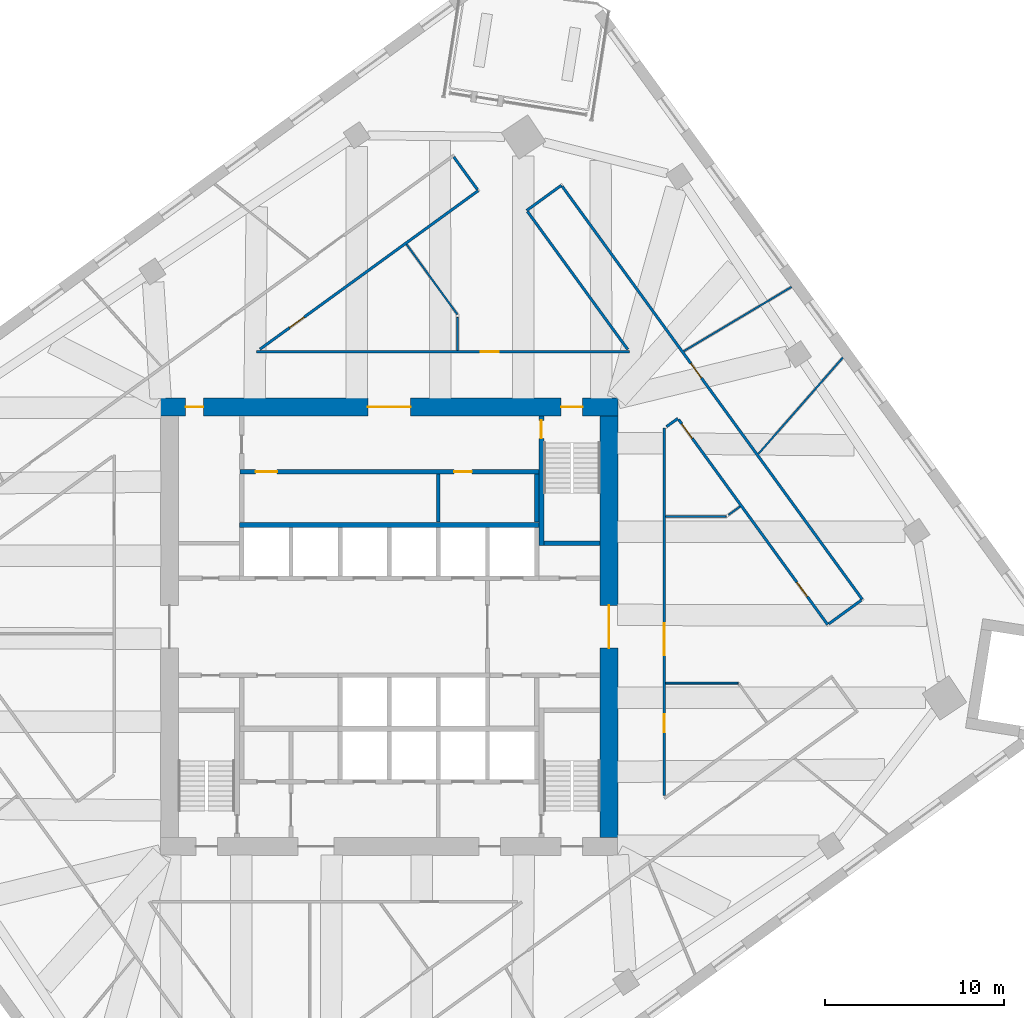
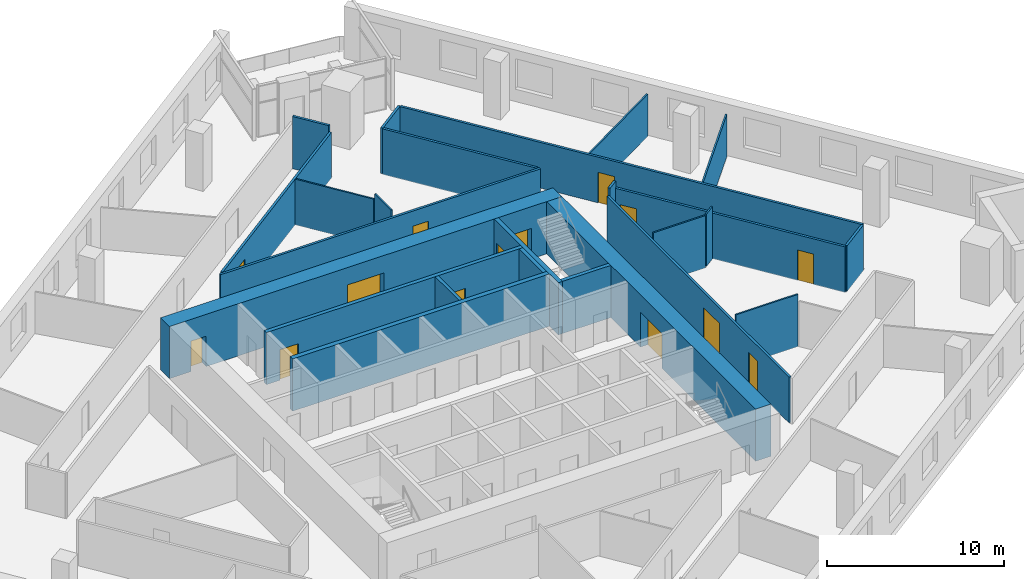
# One storey, part 8 of 11: 25 walls, 14 doors, 14 openings.
"""IFC4 building model written with IfcOpenShell, lengths in metres."""

from ifc_helpers import new_model, si_unit, direction, frame, frame_2d, origin, place, context, subcontext, project, spatial, rectangle, extrude, material, layer, layer_set, type_object, element, fill, save


model = new_model("IFC4")

# Units and contexts
model_context = context("Model", 3, precision=1e-05, world=origin(), true_north=direction((0.0, 1.0)))
body_context = subcontext(model_context, "Body", "Model", "MODEL_VIEW")
ifc_project = project(units=[si_unit("LENGTHUNIT", "METRE"), si_unit("AREAUNIT", "SQUARE_METRE"), si_unit("VOLUMEUNIT", "CUBIC_METRE"), si_unit("PLANEANGLEUNIT", "RADIAN"), si_unit("MASSUNIT", "GRAM", prefix="KILO")], contexts=[model_context])

# Site, building, storey
site_placement = place(None, origin())
site = spatial("IfcSite", under=ifc_project, at=site_placement, CompositionType="ELEMENT")
building_placement = place(site_placement, origin())
building = spatial("IfcBuilding", under=site, at=building_placement, Name="Dilmun Exchange Tower", CompositionType="ELEMENT")
storey_placement = place(building_placement, frame((0.0, 0.0, 167.699951171875)))
storey = spatial("IfcBuildingStorey", under=building, at=storey_placement, Name="L39", CompositionType="ELEMENT", Elevation=167.699951171875)

# Walls
ifc_material_1 = material(Name="Concrete C40/50", Category="concrete")
ifc_layer_1 = layer(ifc_material_1, 0.199951171875)
ifc_layer_set_1 = layer_set([ifc_layer_1], Name="Concrete C40/50")
wall_type_1 = type_object("IfcWallType", Name="Core partition wall 200", PredefinedType="PARTITIONING", material=ifc_layer_set_1)
wall_1_placement = place(storey_placement, frame((2.75, 5.85498046875, 0.0), z_axis=(0.0, 0.0, 1.0), x_axis=(0.0, 1.0, 0.0)))
element("IfcWall", 1, at=wall_1_placement, inside=storey, type_object=wall_type_1, Name="L39 core partition wall 16", PredefinedType="PARTITIONING", context=body_context, shape_type="SweptSolid", body=[
    extrude(rectangle(XDim=2.68994140625, YDim=0.199951171875, at=frame_2d((1.344970703125, 0.0))), origin(), (0.0, 0.0, 1.0), 3.60009765625),
])
ifc_layer_2 = layer(ifc_material_1, 0.25)
ifc_layer_set_2 = layer_set([ifc_layer_2], Name="Concrete C40/50")
wall_type_2 = type_object("IfcWallType", Name="Core partition wall 250", PredefinedType="PARTITIONING", material=ifc_layer_set_2)
wall_2_placement = place(storey_placement, frame((8.25, 5.85498046875, 0.0), z_axis=(0.0, 0.0, 1.0), x_axis=(0.0, 1.0, 0.0)))
element("IfcWall", 2, at=wall_2_placement, inside=storey, type_object=wall_type_2, Name="L39 core partition wall 17", PredefinedType="PARTITIONING", context=body_context, shape_type="SweptSolid", body=[
    extrude(rectangle(XDim=2.68994140625, YDim=0.25, at=frame_2d((1.344970703125, 0.0))), origin(), (0.0, 0.0, 1.0), 3.60009765625),
])

# Wall, openings, doors
wall_3_placement = place(storey_placement, frame((-8.35009765625, 8.675048828125, 0.0), z_axis=(0.0, 0.0, 1.0), x_axis=(1.0, 0.0, 0.0)))
wall_3 = element("IfcWall", 3, at=wall_3_placement, inside=storey, type_object=wall_type_2, Name="L39 core partition wall 18", PredefinedType="PARTITIONING", context=body_context, shape_type="SweptSolid", body=[
    extrude(rectangle(XDim=16.72021484375, YDim=0.25, at=frame_2d((8.360107421875, 0.0))), origin(), (0.0, 0.0, 1.0), 3.60009765625),
])
opening_1_placement = place(wall_3_placement, frame((0.875, 0.0, 0.0)))
opening_1 = element("IfcOpeningElement", 4, at=opening_1_placement, cuts=wall_3, Name="Opening CD3", PredefinedType="OPENING", context=body_context, shape_type="SweptSolid", body=[
    extrude(rectangle(XDim=1.199951171875, YDim=2.10009765625, at=frame_2d((0.60009765625, 1.050048828125))), frame((0.0, 0.135009765625, 0.0), z_axis=(0.0, -1.0, 0.0), x_axis=(1.0, 0.0, 0.0)), (0.0, 0.0, 1.0), 0.27001953125),
])
opening_2_placement = place(wall_3_placement, frame((11.97509765625, 0.0, 0.0)))
opening_2 = element("IfcOpeningElement", 5, at=opening_2_placement, cuts=wall_3, Name="Opening CD4", PredefinedType="OPENING", context=body_context, shape_type="SweptSolid", body=[
    extrude(rectangle(XDim=1.0, YDim=2.10009765625, at=frame_2d((0.5, 1.050048828125))), frame((0.0, 0.135009765625, 0.0), z_axis=(0.0, -1.0, 0.0), x_axis=(1.0, 0.0, 0.0)), (0.0, 0.0, 1.0), 0.27001953125),
])
ifc_material_2 = material(Name="Fire-rated steel door set", Category="steel")
door_type_1 = type_object("IfcDoorType", Name="Core room door 1000x2100", OperationType="SINGLE_SWING_LEFT", PredefinedType="DOOR", material=ifc_material_2)
door_1_placement = place(opening_2_placement, origin())
door_1 = element("IfcDoor", 6, at=door_1_placement, inside=storey, type_object=door_type_1, Name="L39 door Archive store", OperationType="SINGLE_SWING_RIGHT", OverallHeight=2.10009765625, OverallWidth=1.0, PredefinedType="DOOR", context=body_context, shape_type="SweptSolid", body=[
    extrude(rectangle(XDim=1.0, YDim=2.10009765625, at=frame_2d((0.5, 1.050048828125))), frame((0.0, 0.02490234375, 0.0), z_axis=(0.0, -1.0, 0.0), x_axis=(1.0, 0.0, 0.0)), (0.0, 0.0, 1.0), 0.050048828125),
])
fill(opening_2, door_1)
door_type_2 = type_object("IfcDoorType", Name="Stair exit door 1200x2100", OperationType="SINGLE_SWING_LEFT", PredefinedType="DOOR", material=ifc_material_2)
door_2_placement = place(opening_1_placement, origin())
door_2 = element("IfcDoor", 7, at=door_2_placement, inside=storey, type_object=door_type_2, Name="L39 door Tenant meeting suite", OperationType="SINGLE_SWING_LEFT", OverallHeight=2.10009765625, OverallWidth=1.199951171875, PredefinedType="DOOR", context=body_context, shape_type="SweptSolid", body=[
    extrude(rectangle(XDim=1.199951171875, YDim=2.10009765625, at=frame_2d((0.60009765625, 1.050048828125))), frame((0.0, 0.02490234375, 0.0), z_axis=(0.0, -1.0, 0.0), x_axis=(1.0, 0.0, 0.0)), (0.0, 0.0, 1.0), 0.050048828125),
])
fill(opening_1, door_2)

ifc_material_3 = material(Name="Concrete C70/85", Category="concrete")
ifc_layer_3 = layer(ifc_material_3, 1.0)
ifc_layer_set_3 = layer_set([ifc_layer_3], Name="Concrete C70/85")
wall_type_3 = type_object("IfcWallType", Name="Core shear wall 1000 Concrete C70/85", PredefinedType="SHEAR", material=ifc_layer_set_3)
wall_4_placement = place(storey_placement, frame((-12.800048828125, 12.300048828125, 0.0), z_axis=(0.0, 0.0, 1.0), x_axis=(1.0, 0.0, 0.0)))
wall_4 = element("IfcWall", 8, at=wall_4_placement, inside=storey, type_object=wall_type_3, Name="L39 core shear wall N", PredefinedType="SHEAR", context=body_context, shape_type="SweptSolid", body=[
    extrude(rectangle(XDim=25.60009765625, YDim=1.0, at=frame_2d((12.800048828125, 0.0))), origin(), (0.0, 0.0, 1.0), 3.60009765625),
])
opening_3_placement = place(wall_4_placement, frame((11.60009765625, 0.0, 0.0)))
opening_3 = element("IfcOpeningElement", 9, at=opening_3_placement, cuts=wall_4, Name="Opening CD1", PredefinedType="OPENING", context=body_context, shape_type="SweptSolid", body=[
    extrude(rectangle(XDim=2.39990234375, YDim=2.39990234375, at=frame_2d((1.199951171875, 1.199951171875))), frame((0.0, 0.510009765625, 0.0), z_axis=(0.0, -1.0, 0.0), x_axis=(1.0, 0.0, 0.0)), (0.0, 0.0, 1.0), 1.02001953125),
])
opening_4_placement = place(wall_4_placement, frame((22.425048828125, 0.0, 0.0)))
opening_4 = element("IfcOpeningElement", 10, at=opening_4_placement, cuts=wall_4, Name="Opening CD3", PredefinedType="OPENING", context=body_context, shape_type="SweptSolid", body=[
    extrude(rectangle(XDim=1.199951171875, YDim=2.10009765625, at=frame_2d((0.60009765625, 1.050048828125))), frame((0.0, 0.510009765625, 0.0), z_axis=(0.0, -1.0, 0.0), x_axis=(1.0, 0.0, 0.0)), (0.0, 0.0, 1.0), 1.02001953125),
])
opening_5_placement = place(wall_4_placement, frame((1.39990234375, 0.0, 0.0)))
opening_5 = element("IfcOpeningElement", 11, at=opening_5_placement, cuts=wall_4, Name="Opening CD4", PredefinedType="OPENING", context=body_context, shape_type="SweptSolid", body=[
    extrude(rectangle(XDim=1.0, YDim=2.10009765625, at=frame_2d((0.5, 1.050048828125))), frame((0.0, 0.510009765625, 0.0), z_axis=(0.0, -1.0, 0.0), x_axis=(1.0, 0.0, 0.0)), (0.0, 0.0, 1.0), 1.02001953125),
])
door_type_3 = type_object("IfcDoorType", Name="Core lobby door 2400x2400", OperationType="DOUBLE_DOOR_DOUBLE_SWING", PredefinedType="DOOR", material=ifc_material_2)
door_3_placement = place(opening_3_placement, origin())
door_3 = element("IfcDoor", 12, at=door_3_placement, inside=storey, type_object=door_type_3, Name="L39 door North lift lobby", OperationType="SINGLE_SWING_LEFT", OverallHeight=2.39990234375, OverallWidth=2.39990234375, PredefinedType="DOOR", context=body_context, shape_type="SweptSolid", body=[
    extrude(rectangle(XDim=2.39990234375, YDim=2.39990234375, at=frame_2d((1.199951171875, 1.199951171875))), frame((0.0, 0.02490234375, 0.0), z_axis=(0.0, -1.0, 0.0), x_axis=(1.0, 0.0, 0.0)), (0.0, 0.0, 1.0), 0.050048828125),
])
fill(opening_3, door_3)
door_4_placement = place(opening_5_placement, origin())
door_4 = element("IfcDoor", 13, at=door_4_placement, inside=storey, type_object=door_type_1, Name="L39 door North-west core rooms", OperationType="SINGLE_SWING_LEFT", OverallHeight=2.10009765625, OverallWidth=1.0, PredefinedType="DOOR", context=body_context, shape_type="SweptSolid", body=[
    extrude(rectangle(XDim=1.0, YDim=2.10009765625, at=frame_2d((0.5, 1.050048828125))), frame((0.0, 0.02490234375, 0.0), z_axis=(0.0, -1.0, 0.0), x_axis=(1.0, 0.0, 0.0)), (0.0, 0.0, 1.0), 0.050048828125),
])
fill(opening_5, door_4)
door_5_placement = place(opening_4_placement, origin())
door_5 = element("IfcDoor", 14, at=door_5_placement, inside=storey, type_object=door_type_2, Name="L39 door Stair ST1", OperationType="SINGLE_SWING_LEFT", OverallHeight=2.10009765625, OverallWidth=1.199951171875, PredefinedType="DOOR", context=body_context, shape_type="SweptSolid", body=[
    extrude(rectangle(XDim=1.199951171875, YDim=2.10009765625, at=frame_2d((0.60009765625, 1.050048828125))), frame((0.0, 0.02490234375, 0.0), z_axis=(0.0, -1.0, 0.0), x_axis=(1.0, 0.0, 0.0)), (0.0, 0.0, 1.0), 0.050048828125),
])
fill(opening_4, door_5)

# Wall, opening, door
wall_5_placement = place(storey_placement, frame((12.300048828125, -11.800048828125, 0.0), z_axis=(0.0, 0.0, 1.0), x_axis=(0.0, 1.0, 0.0)))
wall_5 = element("IfcWall", 15, at=wall_5_placement, inside=storey, type_object=wall_type_3, Name="L39 core shear wall E", PredefinedType="SHEAR", context=body_context, shape_type="SweptSolid", body=[
    extrude(rectangle(XDim=23.60009765625, YDim=1.0, at=frame_2d((11.800048828125, 0.0))), origin(), (0.0, 0.0, 1.0), 3.60009765625),
])
opening_6_placement = place(wall_5_placement, frame((10.60009765625, 0.0, 0.0)))
opening_6 = element("IfcOpeningElement", 16, at=opening_6_placement, cuts=wall_5, Name="Opening CD1", PredefinedType="OPENING", context=body_context, shape_type="SweptSolid", body=[
    extrude(rectangle(XDim=2.39990234375, YDim=2.39990234375, at=frame_2d((1.199951171875, 1.199951171875))), frame((0.0, 0.510009765625, 0.0), z_axis=(0.0, -1.0, 0.0), x_axis=(1.0, 0.0, 0.0)), (0.0, 0.0, 1.0), 1.02001953125),
])
door_6_placement = place(opening_6_placement, origin())
door_6 = element("IfcDoor", 17, at=door_6_placement, inside=storey, type_object=door_type_3, Name="L39 door Central lift lobby", OperationType="SINGLE_SWING_LEFT", OverallHeight=2.39990234375, OverallWidth=2.39990234375, PredefinedType="DOOR", context=body_context, shape_type="SweptSolid", body=[
    extrude(rectangle(XDim=2.39990234375, YDim=2.39990234375, at=frame_2d((1.199951171875, 1.199951171875))), frame((0.0, 0.02490234375, 0.0), z_axis=(0.0, -1.0, 0.0), x_axis=(1.0, 0.0, 0.0)), (0.0, 0.0, 1.0), 0.050048828125),
])
fill(opening_6, door_6)

ifc_material_4 = material(Name="Corridor wall 150")
ifc_layer_4 = layer(ifc_material_4, 0.14990234375)
ifc_layer_set_4 = layer_set([ifc_layer_4], Name="Corridor wall 150")
wall_type_4 = type_object("IfcWallType", Name="Corridor wall 150", PredefinedType="PARTITIONING", material=ifc_layer_set_4)
wall_6_placement = place(storey_placement, frame((-7.422119140625, 15.39990234375, 0.0), z_axis=(0.0, 0.0, 1.0), x_axis=(1.0, 0.0, 0.0)))
wall_6 = element("IfcWall", 18, at=wall_6_placement, inside=storey, type_object=wall_type_4, Name="Corridor wall", PredefinedType="PARTITIONING", context=body_context, shape_type="SweptSolid", body=[
    extrude(rectangle(XDim=20.858154296875, YDim=0.14990234375, at=frame_2d((10.42919921875, 0.0))), origin(), (0.0, 0.0, 1.0), 3.150146484375),
])
opening_7_placement = place(wall_6_placement, frame((12.5419921875, 0.0, 0.0)))
opening_7 = element("IfcOpeningElement", 19, at=opening_7_placement, cuts=wall_6, Name="Opening TF38-D14", PredefinedType="OPENING", context=body_context, shape_type="SweptSolid", body=[
    extrude(rectangle(XDim=1.0, YDim=2.10009765625, at=frame_2d((0.5, 1.050048828125))), frame((0.0, 0.0849609375, 0.0), z_axis=(0.0, -1.0, 0.0), x_axis=(1.0, 0.0, 0.0)), (0.0, 0.0, 1.0), 0.169921875),
])
ifc_material_5 = material(Name="Fire door 1000 x 2100")
door_type_4 = type_object("IfcDoorType", Name="Fire door 1000 x 2100", OperationType="NOTDEFINED", PredefinedType="DOOR", material=ifc_material_5)
door_7_placement = place(opening_7_placement, origin())
door_7 = element("IfcDoor", 20, at=door_7_placement, inside=storey, type_object=door_type_4, Name="Door TF38-D14", OperationType="SINGLE_SWING_LEFT", OverallHeight=2.10009765625, OverallWidth=1.0, PredefinedType="DOOR", context=body_context, shape_type="SweptSolid", body=[
    extrude(rectangle(XDim=1.0, YDim=2.10009765625, at=frame_2d((0.5, 1.050048828125))), frame((0.0, 0.02490234375, 0.0), z_axis=(0.0, -1.0, 0.0), x_axis=(1.0, 0.0, 0.0)), (0.0, 0.0, 1.0), 0.050048828125),
])
fill(opening_7, door_7)

wall_7_placement = place(storey_placement, frame((-7.2353515625, 15.53564453125, 0.0), z_axis=(0.0, 0.0, 1.0), x_axis=(0.809007989402, 0.587797646375, 0.0)))
wall_7 = element("IfcWall", 21, at=wall_7_placement, inside=storey, type_object=wall_type_4, Name="Corridor wall", PredefinedType="PARTITIONING", context=body_context, shape_type="SweptSolid", body=[
    extrude(rectangle(XDim=15.09912109375, YDim=0.14990234375, at=frame_2d((7.549560546875, 0.0))), origin(), (0.0, 0.0, 1.0), 3.150146484375),
])
opening_8_placement = place(wall_7_placement, frame((2.050048828125, 0.0, 0.0)))
opening_8 = element("IfcOpeningElement", 22, at=opening_8_placement, cuts=wall_7, Name="Opening TF38-D10", PredefinedType="OPENING", context=body_context, shape_type="SweptSolid", body=[
    extrude(rectangle(XDim=1.0, YDim=2.10009765625, at=frame_2d((0.5, 1.050048828125))), frame((0.0, 0.0849609375, 0.0), z_axis=(0.0, -1.0, 0.0), x_axis=(1.0, 0.0, 0.0)), (0.0, 0.0, 1.0), 0.169921875),
])
door_8_placement = place(opening_8_placement, frame((1.0, 0.0, 0.0), z_axis=(0.0, 0.0, 1.0), x_axis=(-1.0, 0.0, 0.0)))
door_8 = element("IfcDoor", 23, at=door_8_placement, inside=storey, type_object=door_type_4, Name="Door TF38-D10", OperationType="SINGLE_SWING_LEFT", OverallHeight=2.10009765625, OverallWidth=1.0, PredefinedType="DOOR", context=body_context, shape_type="SweptSolid", body=[
    extrude(rectangle(XDim=1.0, YDim=2.10009765625, at=frame_2d((0.5, 1.050048828125))), frame((0.0, 0.02490234375, 0.0), z_axis=(0.0, -1.0, 0.0), x_axis=(1.0, 0.0, 0.0)), (0.0, 0.0, 1.0), 0.050048828125),
])
fill(opening_8, door_8)

# Walls
wall_8_placement = place(storey_placement, frame((3.614013671875, 26.292236328125, 0.0), z_axis=(0.0, 0.0, 1.0), x_axis=(0.587513359373, -0.809214466355, 0.0)))
element("IfcWall", 24, at=wall_8_placement, inside=storey, type_object=wall_type_4, Name="Corridor wall", PredefinedType="PARTITIONING", context=body_context, shape_type="SweptSolid", body=[
    extrude(rectangle(XDim=2.249755859375, YDim=0.14990234375, at=frame_2d((1.125, 0.0))), origin(), (0.0, 0.0, 1.0), 3.60009765625),
])
wall_9_placement = place(storey_placement, frame((7.695068359375, 23.302001953125, 0.0), z_axis=(0.0, 0.0, 1.0), x_axis=(0.809013089606, 0.587790626708, 0.0)))
element("IfcWall", 25, at=wall_9_placement, inside=storey, type_object=wall_type_4, Name="Corridor wall", PredefinedType="PARTITIONING", context=body_context, shape_type="SweptSolid", body=[
    extrude(rectangle(XDim=2.400390625, YDim=0.14990234375, at=frame_2d((1.2001953125, 0.0))), origin(), (0.0, 0.0, 1.0), 3.150146484375),
])
wall_10_placement = place(storey_placement, frame((7.739013671875, 23.2412109375, 0.0), z_axis=(0.0, 0.0, 1.0), x_axis=(0.587792950245, -0.809011401429, 0.0)))
element("IfcWall", 26, at=wall_10_placement, inside=storey, type_object=wall_type_4, Name="Corridor wall", PredefinedType="PARTITIONING", context=body_context, shape_type="SweptSolid", body=[
    extrude(rectangle(XDim=9.545166015625, YDim=0.14990234375, at=frame_2d((4.7724609375, 0.0))), origin(), (0.0, 0.0, 1.0), 3.150146484375),
])

# Wall, opening, door
wall_11_placement = place(storey_placement, frame((9.68115234375, 24.65234375, 0.0), z_axis=(0.0, 0.0, 1.0), x_axis=(0.58776328895, -0.809032951222, 0.0)))
wall_11 = element("IfcWall", 27, at=wall_11_placement, inside=storey, type_object=wall_type_4, Name="Corridor wall", PredefinedType="PARTITIONING", context=body_context, shape_type="SweptSolid", body=[
    extrude(rectangle(XDim=28.58251953125, YDim=0.14990234375, at=frame_2d((14.291259765625, 0.0))), origin(), (0.0, 0.0, 1.0), 3.150146484375),
])
opening_9_placement = place(wall_11_placement, frame((12.255859375, 0.0, 0.0)))
opening_9 = element("IfcOpeningElement", 28, at=opening_9_placement, cuts=wall_11, Name="Opening TF38-D19", PredefinedType="OPENING", context=body_context, shape_type="SweptSolid", body=[
    extrude(rectangle(XDim=1.0, YDim=2.10009765625, at=frame_2d((0.5, 1.050048828125))), frame((0.0, 0.0849609375, 0.0), z_axis=(0.0, -1.0, 0.0), x_axis=(1.0, 0.0, 0.0)), (0.0, 0.0, 1.0), 0.169921875),
])
door_9_placement = place(opening_9_placement, origin())
door_9 = element("IfcDoor", 29, at=door_9_placement, inside=storey, type_object=door_type_4, Name="Door TF38-D19", OperationType="SINGLE_SWING_RIGHT", OverallHeight=2.10009765625, OverallWidth=1.0, PredefinedType="DOOR", context=body_context, shape_type="SweptSolid", body=[
    extrude(rectangle(XDim=1.0, YDim=2.10009765625, at=frame_2d((0.5, 1.050048828125))), frame((0.0, 0.02490234375, 0.0), z_axis=(0.0, -1.0, 0.0), x_axis=(1.0, 0.0, 0.0)), (0.0, 0.0, 1.0), 0.050048828125),
])
fill(opening_9, door_9)

# Wall, openings, doors
wall_12_placement = place(storey_placement, frame((15.39990234375, -9.456787109375, 0.0), z_axis=(0.0, 0.0, 1.0), x_axis=(0.0, 1.0, 0.0)))
wall_12 = element("IfcWall", 30, at=wall_12_placement, inside=storey, type_object=wall_type_4, Name="Corridor wall", PredefinedType="PARTITIONING", context=body_context, shape_type="SweptSolid", body=[
    extrude(rectangle(XDim=20.57080078125, YDim=0.14990234375, at=frame_2d((10.285400390625, 0.0))), origin(), (0.0, 0.0, 1.0), 3.150146484375),
])
opening_10_placement = place(wall_12_placement, frame((3.550048828125, 0.0, 0.0)))
opening_10 = element("IfcOpeningElement", 31, at=opening_10_placement, cuts=wall_12, Name="Opening TF38-D17", PredefinedType="OPENING", context=body_context, shape_type="SweptSolid", body=[
    extrude(rectangle(XDim=1.0, YDim=2.10009765625, at=frame_2d((0.5, 1.050048828125))), frame((0.0, 0.0849609375, 0.0), z_axis=(0.0, -1.0, 0.0), x_axis=(1.0, 0.0, 0.0)), (0.0, 0.0, 1.0), 0.169921875),
])
opening_11_placement = place(wall_12_placement, frame((7.853271484375, 0.0, 0.0)))
opening_11 = element("IfcOpeningElement", 32, at=opening_11_placement, cuts=wall_12, Name="Opening TF38-D20", PredefinedType="OPENING", context=body_context, shape_type="SweptSolid", body=[
    extrude(rectangle(XDim=1.800048828125, YDim=2.10009765625, at=frame_2d((0.89990234375, 1.050048828125))), frame((0.0, 0.0849609375, 0.0), z_axis=(0.0, -1.0, 0.0), x_axis=(1.0, 0.0, 0.0)), (0.0, 0.0, 1.0), 0.169921875),
])
door_10_placement = place(opening_10_placement, frame((1.0, 0.0, 0.0), z_axis=(0.0, 0.0, 1.0), x_axis=(-1.0, 0.0, 0.0)))
door_10 = element("IfcDoor", 33, at=door_10_placement, inside=storey, type_object=door_type_4, Name="Door TF38-D17", OperationType="SINGLE_SWING_LEFT", OverallHeight=2.10009765625, OverallWidth=1.0, PredefinedType="DOOR", context=body_context, shape_type="SweptSolid", body=[
    extrude(rectangle(XDim=1.0, YDim=2.10009765625, at=frame_2d((0.5, 1.050048828125))), frame((0.0, 0.02490234375, 0.0), z_axis=(0.0, -1.0, 0.0), x_axis=(1.0, 0.0, 0.0)), (0.0, 0.0, 1.0), 0.050048828125),
])
fill(opening_10, door_10)
ifc_material_6 = material(Name="Fire door pair 1800 x 2100")
door_type_5 = type_object("IfcDoorType", Name="Fire door pair 1800 x 2100", OperationType="NOTDEFINED", PredefinedType="DOOR", material=ifc_material_6)
door_11_placement = place(opening_11_placement, frame((1.800048828125, 0.0, 0.0), z_axis=(0.0, 0.0, 1.0), x_axis=(-1.0, 0.0, 0.0)))
door_11 = element("IfcDoor", 34, at=door_11_placement, inside=storey, type_object=door_type_5, Name="Door TF38-D20", OperationType="DOUBLE_DOOR_SINGLE_SWING", OverallHeight=2.10009765625, OverallWidth=1.800048828125, PredefinedType="DOOR", context=body_context, shape_type="SweptSolid", body=[
    extrude(rectangle(XDim=1.800048828125, YDim=2.10009765625, at=frame_2d((0.89990234375, 1.050048828125))), frame((0.0, 0.02490234375, 0.0), z_axis=(0.0, -1.0, 0.0), x_axis=(1.0, 0.0, 0.0)), (0.0, 0.0, 1.0), 0.050048828125),
])
fill(opening_11, door_11)

# Wall
wall_13_placement = place(storey_placement, frame((15.51904296875, 11.200439453125, 0.0), z_axis=(0.0, 0.0, 1.0), x_axis=(0.809140088661, 0.587615790225, 0.0)))
element("IfcWall", 35, at=wall_13_placement, inside=storey, type_object=wall_type_4, Name="Corridor wall", PredefinedType="PARTITIONING", context=body_context, shape_type="SweptSolid", body=[
    extrude(rectangle(XDim=0.78369140625, YDim=0.14990234375, at=frame_2d((0.391845703125, 0.0))), origin(), (0.0, 0.0, 1.0), 3.60009765625),
])

# Wall, openings, doors
wall_14_placement = place(storey_placement, frame((16.197021484375, 11.600341796875, 0.0), z_axis=(0.0, 0.0, 1.0), x_axis=(0.587765569966, -0.809031294057, 0.0)))
wall_14 = element("IfcWall", 36, at=wall_14_placement, inside=storey, type_object=wall_type_4, Name="Corridor wall", PredefinedType="PARTITIONING", context=body_context, shape_type="SweptSolid", body=[
    extrude(rectangle(XDim=14.19287109375, YDim=0.14990234375, at=frame_2d((7.096435546875, 0.0))), origin(), (0.0, 0.0, 1.0), 3.150146484375),
])
opening_12_placement = place(wall_14_placement, frame((0.300048828125, 0.0, 0.0)))
opening_12 = element("IfcOpeningElement", 37, at=opening_12_placement, cuts=wall_14, Name="Opening TF38-D16", PredefinedType="OPENING", context=body_context, shape_type="SweptSolid", body=[
    extrude(rectangle(XDim=1.0, YDim=2.10009765625, at=frame_2d((0.5, 1.050048828125))), frame((0.0, 0.0849609375, 0.0), z_axis=(0.0, -1.0, 0.0), x_axis=(1.0, 0.0, 0.0)), (0.0, 0.0, 1.0), 0.169921875),
])
opening_13_placement = place(wall_14_placement, frame((11.259521484375, 0.0, 0.0)))
opening_13 = element("IfcOpeningElement", 38, at=opening_13_placement, cuts=wall_14, Name="Opening TF38-D21", PredefinedType="OPENING", context=body_context, shape_type="SweptSolid", body=[
    extrude(rectangle(XDim=1.0, YDim=2.10009765625, at=frame_2d((0.5, 1.050048828125))), frame((0.0, 0.0849609375, 0.0), z_axis=(0.0, -1.0, 0.0), x_axis=(1.0, 0.0, 0.0)), (0.0, 0.0, 1.0), 0.169921875),
])
door_12_placement = place(opening_12_placement, frame((1.0, 0.0, 0.0), z_axis=(0.0, 0.0, 1.0), x_axis=(-1.0, 0.0, 0.0)))
door_12 = element("IfcDoor", 39, at=door_12_placement, inside=storey, type_object=door_type_4, Name="Door TF38-D16", OperationType="SINGLE_SWING_LEFT", OverallHeight=2.10009765625, OverallWidth=1.0, PredefinedType="DOOR", context=body_context, shape_type="SweptSolid", body=[
    extrude(rectangle(XDim=1.0, YDim=2.10009765625, at=frame_2d((0.5, 1.050048828125))), frame((0.0, 0.02490234375, 0.0), z_axis=(0.0, -1.0, 0.0), x_axis=(1.0, 0.0, 0.0)), (0.0, 0.0, 1.0), 0.050048828125),
])
fill(opening_12, door_12)
door_13_placement = place(opening_13_placement, frame((1.0, 0.0, 0.0), z_axis=(0.0, 0.0, 1.0), x_axis=(-1.0, 0.0, 0.0)))
door_13 = element("IfcDoor", 40, at=door_13_placement, inside=storey, type_object=door_type_4, Name="Door TF38-D21", OperationType="SINGLE_SWING_RIGHT", OverallHeight=2.10009765625, OverallWidth=1.0, PredefinedType="DOOR", context=body_context, shape_type="SweptSolid", body=[
    extrude(rectangle(XDim=1.0, YDim=2.10009765625, at=frame_2d((0.5, 1.050048828125))), frame((0.0, 0.02490234375, 0.0), z_axis=(0.0, -1.0, 0.0), x_axis=(1.0, 0.0, 0.0)), (0.0, 0.0, 1.0), 0.050048828125),
])
fill(opening_13, door_13)

# Walls
wall_15_placement = place(storey_placement, frame((24.599609375, 0.162109375, 0.0), z_axis=(0.0, 0.0, 1.0), x_axis=(0.809251918594, 0.587461770886, 0.0)))
element("IfcWall", 41, at=wall_15_placement, inside=storey, type_object=wall_type_4, Name="Corridor wall", PredefinedType="PARTITIONING", context=body_context, shape_type="SweptSolid", body=[
    extrude(rectangle(XDim=2.25, YDim=0.14990234375, at=frame_2d((1.125, 0.0))), origin(), (0.0, 0.0, 1.0), 3.150146484375),
])
ifc_layer_5 = layer(ifc_material_1, 0.300048828125)
ifc_layer_set_5 = layer_set([ifc_layer_5], Name="Concrete C40/50")
wall_type_5 = type_object("IfcWallType", Name="Lift shaft shared wall 300", PredefinedType="SOLIDWALL", material=ifc_layer_set_5)
wall_16_placement = place(storey_placement, frame((-8.375, 5.699951171875, 0.0), z_axis=(0.0, 0.0, 1.0), x_axis=(1.0, 0.0, 0.0)))
element("IfcWall", 42, at=wall_16_placement, inside=storey, type_object=wall_type_5, Name="L39 lift shaft rear wall N", PredefinedType="SOLIDWALL", context=body_context, shape_type="SweptSolid", body=[
    extrude(rectangle(XDim=16.75, YDim=0.300048828125, at=frame_2d((8.375, 0.0))), origin(), (0.0, 0.0, 1.0), 3.60009765625),
])
ifc_material_7 = material(Name="Partition 100")
ifc_layer_6 = layer(ifc_material_7, 0.10009765625)
ifc_layer_set_6 = layer_set([ifc_layer_6], Name="Partition 100")
wall_type_6 = type_object("IfcWallType", Name="Partition 100", PredefinedType="PARTITIONING", material=ifc_layer_set_6)
wall_17_placement = place(storey_placement, frame((0.967041015625, 21.4033203125, 0.0), z_axis=(0.0, 0.0, 1.0), x_axis=(0.587746963967, -0.809044811088, 0.0)))
element("IfcWall", 43, at=wall_17_placement, inside=storey, type_object=wall_type_6, Name="Partition", PredefinedType="PARTITIONING", context=body_context, shape_type="SweptSolid", body=[
    extrude(rectangle(XDim=4.854248046875, YDim=0.10009765625, at=frame_2d((2.42724609375, 0.0))), origin(), (0.0, 0.0, 1.0), 3.150146484375),
])
wall_18_placement = place(storey_placement, frame((3.820068359375, 15.47509765625, 0.0), z_axis=(0.0, 0.0, 1.0), x_axis=(0.0, 1.0, 0.0)))
element("IfcWall", 44, at=wall_18_placement, inside=storey, type_object=wall_type_6, Name="Partition", PredefinedType="PARTITIONING", context=body_context, shape_type="SweptSolid", body=[
    extrude(rectangle(XDim=1.846923828125, YDim=0.10009765625, at=frame_2d((0.92333984375, 0.0))), origin(), (0.0, 0.0, 1.0), 3.60009765625),
])
wall_19_placement = place(storey_placement, frame((15.47509765625, -3.154052734375, 0.0), z_axis=(0.0, 0.0, 1.0), x_axis=(1.0, 0.0, 0.0)))
element("IfcWall", 45, at=wall_19_placement, inside=storey, type_object=wall_type_6, Name="Partition", PredefinedType="PARTITIONING", context=body_context, shape_type="SweptSolid", body=[
    extrude(rectangle(XDim=4.056884765625, YDim=0.10009765625, at=frame_2d((2.0283203125, 0.0))), origin(), (0.0, 0.0, 1.0), 3.60009765625),
])
wall_20_placement = place(storey_placement, frame((15.47509765625, 6.169921875, 0.0), z_axis=(0.0, 0.0, 1.0), x_axis=(1.0, 0.0, 0.0)))
element("IfcWall", 46, at=wall_20_placement, inside=storey, type_object=wall_type_6, Name="Partition", PredefinedType="PARTITIONING", context=body_context, shape_type="SweptSolid", body=[
    extrude(rectangle(XDim=3.386962890625, YDim=0.10009765625, at=frame_2d((1.693359375, 0.0))), origin(), (0.0, 0.0, 1.0), 3.60009765625),
])
wall_21_placement = place(storey_placement, frame((16.482666015625, 15.4248046875, 0.0), z_axis=(0.0, 0.0, 1.0), x_axis=(0.858967254215, 0.51203052271, 0.0)))
element("IfcWall", 47, at=wall_21_placement, inside=storey, type_object=wall_type_6, Name="Partition", PredefinedType="PARTITIONING", context=body_context, shape_type="SweptSolid", body=[
    extrude(rectangle(XDim=7.02587890625, YDim=0.10009765625, at=frame_2d((3.512939453125, 0.0))), origin(), (0.0, 0.0, 1.0), 2.900146484375),
])
wall_22_placement = place(storey_placement, frame((18.986572265625, 6.260498046875, 0.0), z_axis=(0.0, 0.0, 1.0), x_axis=(0.80898458322, 0.587829859834, 0.0)))
element("IfcWall", 48, at=wall_22_placement, inside=storey, type_object=wall_type_6, Name="Partition", PredefinedType="PARTITIONING", context=body_context, shape_type="SweptSolid", body=[
    extrude(rectangle(XDim=0.806884765625, YDim=0.10009765625, at=frame_2d((0.4033203125, 0.0))), origin(), (0.0, 0.0, 1.0), 3.60009765625),
])
wall_23_placement = place(storey_placement, frame((20.664306640625, 9.680419921875, 0.0), z_axis=(0.0, 0.0, 1.0), x_axis=(0.659403704838, 0.751789035598, 0.0)))
element("IfcWall", 49, at=wall_23_placement, inside=storey, type_object=wall_type_6, Name="Partition", PredefinedType="PARTITIONING", context=body_context, shape_type="SweptSolid", body=[
    extrude(rectangle(XDim=7.166748046875, YDim=0.10009765625, at=frame_2d((3.58349609375, 0.0))), origin(), (0.0, 0.0, 1.0), 2.900146484375),
])
ifc_layer_7 = layer(ifc_material_1, 0.25)
ifc_layer_set_7 = layer_set([ifc_layer_7], Name="Concrete C40/50")
wall_type_7 = type_object("IfcWallType", Name="Stair end wall 250", PredefinedType="SOLIDWALL", material=ifc_layer_set_7)
wall_24_placement = place(storey_placement, frame((8.64990234375, 4.675048828125, 0.0), z_axis=(0.0, 0.0, 1.0), x_axis=(1.0, 0.0, 0.0)))
element("IfcWall", 50, at=wall_24_placement, inside=storey, type_object=wall_type_7, Name="L39 ST1 far wall", PredefinedType="SOLIDWALL", context=body_context, shape_type="SweptSolid", body=[
    extrude(rectangle(XDim=3.150146484375, YDim=0.25, at=frame_2d((1.5751953125, 0.0))), origin(), (0.0, 0.0, 1.0), 3.60009765625),
])

# Wall, opening, door
ifc_layer_8 = layer(ifc_material_1, 0.27490234375)
ifc_layer_set_8 = layer_set([ifc_layer_8], Name="Concrete C40/50")
wall_type_8 = type_object("IfcWallType", Name="Stair wall 275", PredefinedType="SOLIDWALL", material=ifc_layer_set_8)
wall_25_placement = place(storey_placement, frame((8.512451171875, 4.550048828125, 0.0), z_axis=(0.0, 0.0, 1.0), x_axis=(0.0, 1.0, 0.0)))
wall_25 = element("IfcWall", 51, at=wall_25_placement, inside=storey, type_object=wall_type_8, Name="L39 ST1 wall to lift block", PredefinedType="SOLIDWALL", context=body_context, shape_type="SweptSolid", body=[
    extrude(rectangle(XDim=7.25, YDim=0.27490234375, at=frame_2d((3.625, 0.0))), origin(), (0.0, 0.0, 1.0), 3.60009765625),
])
opening_14_placement = place(wall_25_placement, frame((6.0, 0.0, 0.0)))
opening_14 = element("IfcOpeningElement", 52, at=opening_14_placement, cuts=wall_25, Name="Opening CD4", PredefinedType="OPENING", context=body_context, shape_type="SweptSolid", body=[
    extrude(rectangle(XDim=1.0, YDim=2.10009765625, at=frame_2d((0.5, 1.050048828125))), frame((0.0, 0.1474609375, 0.0), z_axis=(0.0, -1.0, 0.0), x_axis=(1.0, 0.0, 0.0)), (0.0, 0.0, 1.0), 0.294921875),
])
door_14_placement = place(opening_14_placement, origin())
door_14 = element("IfcDoor", 53, at=door_14_placement, inside=storey, type_object=door_type_1, Name="L39 door ST1 from lobby", OperationType="SINGLE_SWING_LEFT", OverallHeight=2.10009765625, OverallWidth=1.0, PredefinedType="DOOR", context=body_context, shape_type="SweptSolid", body=[
    extrude(rectangle(XDim=1.0, YDim=2.10009765625, at=frame_2d((0.5, 1.050048828125))), frame((0.0, 0.02490234375, 0.0), z_axis=(0.0, -1.0, 0.0), x_axis=(1.0, 0.0, 0.0)), (0.0, 0.0, 1.0), 0.050048828125),
])
fill(opening_14, door_14)

save(model, "model.ifc")
